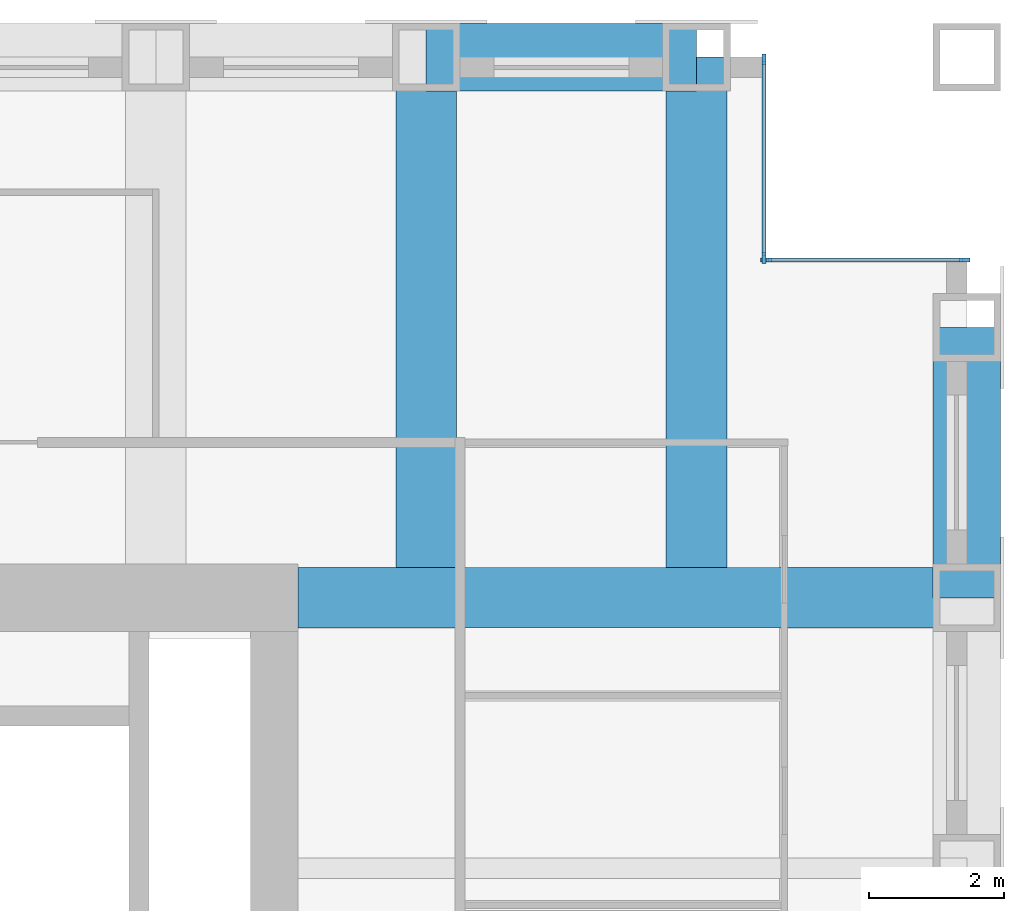
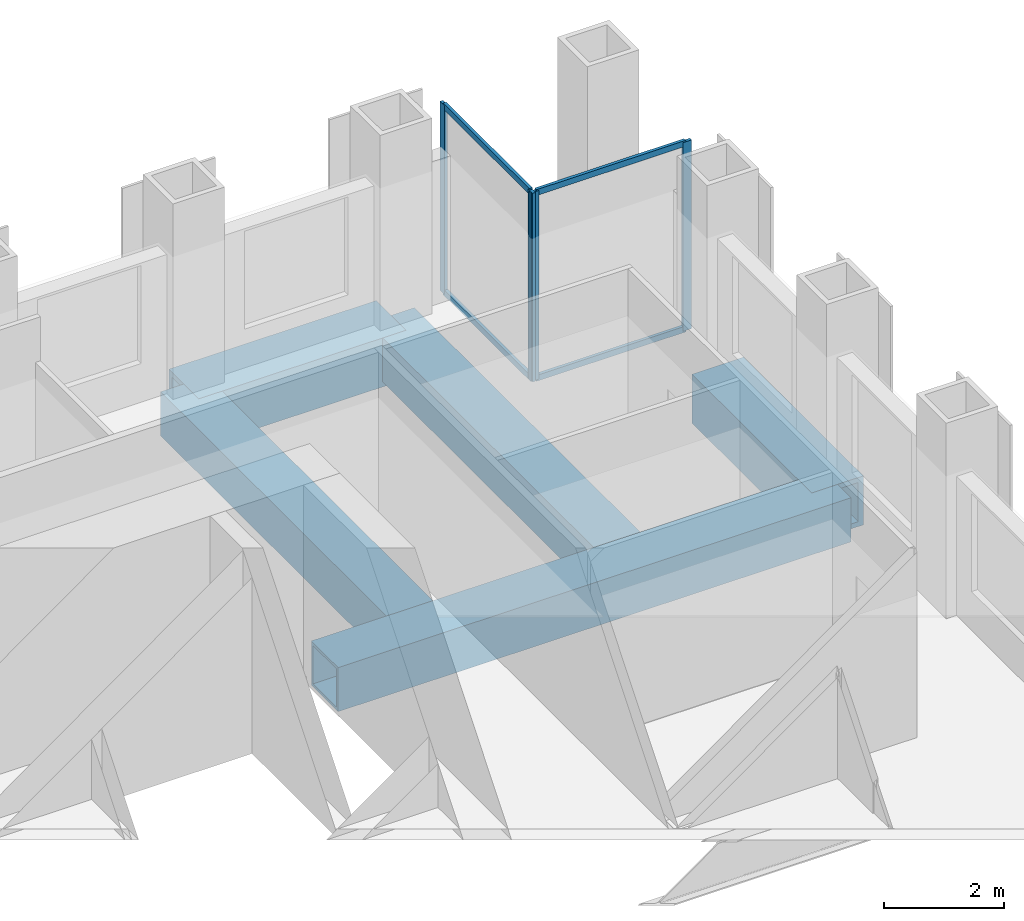
# One storey, part 6 of 13: 8 members, 5 beams, 2 elements without a shape of their own.
"""IFC4 building model written with IfcOpenShell, lengths in metres."""

import ifcopenshell
import ifcopenshell.guid

model = None  # the IFC model being written
_history = None  # IfcOwnerHistory: only IFC2X3 demands one
_inside = {}  # id of a spatial element -> (the spatial element, [elements in it])
_under = {}  # id of a project, library or spatial element -> (it, [spatial elements below it])
_declared = {}  # id of a project -> (the project, [libraries it declares])
_typed = {}  # id of a type object -> (the type object, [elements of that type])
_made_of = {}  # id of a material, layer set ... -> (it, [elements and type objects made of it])


def new_model(schema):
    """Start an empty IFC model of exactly this schema.

    Asked for "IFC4X3", IfcOpenShell would pick the latest addendum, in which some entities
    have other attributes; the version numbers below select the first issue.
    IFC2X3 requires an IfcOwnerHistory on every rooted entity: one is made here for all.
    """
    global model, _history
    if schema == "IFC4X3":
        model = ifcopenshell.file(schema_version=(4, 3, 0, 0))
    else:
        model = ifcopenshell.file(schema=schema)
    _inside.clear()
    _under.clear()
    _declared.clear()
    _typed.clear()
    _made_of.clear()
    _history = None
    if model.schema == "IFC2X3":
        org = make("IfcOrganization", Name="unknown")
        user = make(
            "IfcPersonAndOrganization",
            ThePerson=make("IfcPerson", FamilyName="unknown"),
            TheOrganization=org,
        )
        app = make(
            "IfcApplication",
            ApplicationDeveloper=org,
            Version="unknown",
            ApplicationFullName="unknown",
            ApplicationIdentifier="unknown",
        )
        _history = make(
            "IfcOwnerHistory",
            OwningUser=user,
            OwningApplication=app,
            ChangeAction="ADDED",
            CreationDate=0,
        )
    return model


def make(cls, **values):
    """One entity of the class cls with the attributes given. An attribute that is None is left unset."""
    return model.create_entity(
        cls, **{name: value for name, value in values.items() if value is not None}
    )


def rooted(cls, **values):
    """An entity with a GlobalId (a new one), such as an element, a storey or a relation."""
    return make(cls, GlobalId=ifcopenshell.guid.new(), OwnerHistory=_history, **values)


def si_unit(unit_type, name, prefix=None):
    """IfcSIUnit, for example si_unit("LENGTHUNIT", "METRE", prefix="MILLI")."""
    return make("IfcSIUnit", UnitType=unit_type, Prefix=prefix, Name=name)


def assignment(units):
    """IfcUnitAssignment: the units of a project."""
    return None if units is None else make("IfcUnitAssignment", Units=units)


def point(xyz):
    """IfcCartesianPoint."""
    return None if xyz is None else make("IfcCartesianPoint", Coordinates=xyz)


def direction(xyz):
    """IfcDirection."""
    return None if xyz is None else make("IfcDirection", DirectionRatios=xyz)


def frame(location, z_axis=None, x_axis=None):
    """IfcAxis2Placement3D, a coordinate frame: its origin and axes. An axis left out is left unset."""
    return make(
        "IfcAxis2Placement3D",
        Location=point(location),
        Axis=direction(z_axis),
        RefDirection=direction(x_axis),
    )


def frame_2d(location, x_axis=None):
    """IfcAxis2Placement2D, a coordinate frame in the plane: its origin and x axis."""
    return make(
        "IfcAxis2Placement2D", Location=point(location), RefDirection=direction(x_axis)
    )


def origin():
    """The frame at (0, 0, 0) with its axes left unset."""
    return frame((0.0, 0.0, 0.0))


def origin_2d():
    """The frame at (0, 0) in the plane with its x axis left unset."""
    return frame_2d((0.0, 0.0))


def place(relative_to, where):
    """IfcLocalPlacement: puts the frame where relative to a parent placement (None: the world)."""
    return make(
        "IfcLocalPlacement", PlacementRelTo=relative_to, RelativePlacement=where
    )


def context(
    kind, dimensions, precision=None, world=None, true_north=None, identifier=None
):
    """IfcGeometricRepresentationContext, for example the 3D "Model" context."""
    return make(
        "IfcGeometricRepresentationContext",
        ContextIdentifier=identifier,
        ContextType=kind,
        CoordinateSpaceDimension=dimensions,
        Precision=precision,
        WorldCoordinateSystem=world,
        TrueNorth=true_north,
    )


def subcontext(parent, identifier, kind, view, scale=None):
    """IfcGeometricRepresentationSubContext, for example "Body" below "Model"."""
    return make(
        "IfcGeometricRepresentationSubContext",
        ContextIdentifier=identifier,
        ContextType=kind,
        ParentContext=parent,
        TargetScale=scale,
        TargetView=view,
    )


def project(units=None, contexts=None):
    """IfcProject with its units and contexts."""
    return rooted(
        "IfcProject",
        Name="project",
        RepresentationContexts=contexts,
        UnitsInContext=assignment(units),
    )


def spatial(cls, under=None, at=None, **own):
    """A site, building, storey or space (cls), placed at a placement, below another one or the project."""
    s = rooted(cls, ObjectPlacement=at, **own)
    if under is not None:
        _under.setdefault(under.id(), (under, []))[1].append(s)
    return s


def profile(cls, at=None, kind="AREA", **sizes):
    """A parametric profile (cls). Its sizes go by their IFC names, for example OverallWidth=200.0."""
    return make(cls, ProfileType=kind, Position=at, **sizes)


def rectangle(**sizes):
    """IfcRectangleProfileDef."""
    return profile("IfcRectangleProfileDef", **sizes)


def hollow_rectangle(**sizes):
    """IfcRectangleHollowProfileDef."""
    return profile("IfcRectangleHollowProfileDef", **sizes)


def extrude(swept, where, along, depth):
    """IfcExtrudedAreaSolid: the profile swept, set in the frame where, extruded along a direction by depth."""
    return make(
        "IfcExtrudedAreaSolid",
        SweptArea=swept,
        Position=where,
        ExtrudedDirection=direction(along),
        Depth=depth,
    )


def shape(context_of_items, identifier, shape_type, items):
    """IfcShapeRepresentation: the items that make up one representation, for example the "Body"."""
    return make(
        "IfcShapeRepresentation",
        ContextOfItems=context_of_items,
        RepresentationIdentifier=identifier,
        RepresentationType=shape_type,
        Items=items,
    )


def material(Name=None, Category=None):
    """IfcMaterial."""
    return make("IfcMaterial", Name=Name, Category=Category)


def material_profile(
    of_material, cross_section, Name=None, Category=None, Priority=None
):
    """IfcMaterialProfile: a cross section and its material."""
    return make(
        "IfcMaterialProfile",
        Name=Name,
        Material=of_material,
        Profile=cross_section,
        Priority=Priority,
        Category=Category,
    )


def profile_set(profiles, Name=None, composite=None):
    """IfcMaterialProfileSet."""
    return make(
        "IfcMaterialProfileSet",
        Name=Name,
        MaterialProfiles=profiles,
        CompositeProfile=composite,
    )


def made_of(thing, what):
    """Note that an element or type object is made of a material, layer set ...; save() writes the relation."""
    if what is not None:
        _made_of.setdefault(what.id(), (what, []))[1].append(thing)
    return thing


def type_object(cls, material=None, **own):
    """A type object (cls), such as IfcWallType, which elements share."""
    return made_of(rooted(cls, **own), material)


def element(
    cls,
    number,
    at=None,
    inside=None,
    cuts=None,
    type_object=None,
    material=None,
    context=None,
    identifier="Body",
    shape_type=None,
    held_by="IfcProductDefinitionShape",
    body=None,
    shapes=None,
    **own,
):
    """One element of the class cls, such as IfcWall. Its Tag is "e" and its number.

    at: its placement. inside: the storey or other place that contains it. cuts: it is an
    opening in that element (IfcRelVoidsElement). A single representation is given by context,
    identifier, shape_type and body (its items); several are given by shapes. held_by: the class
    of the entity that holds the representations. save() writes the other relations.
    """
    e = rooted(cls, Tag="e%d" % number, ObjectPlacement=at, **own)
    if body is not None:
        shapes = [shape(context, identifier, shape_type, body)]
    if shapes is not None:
        e.Representation = make(held_by, Representations=shapes)
    if inside is not None:
        _inside.setdefault(inside.id(), (inside, []))[1].append(e)
    if cuts is not None:
        rooted(
            "IfcRelVoidsElement", RelatingBuildingElement=cuts, RelatedOpeningElement=e
        )
    if type_object is not None:
        _typed.setdefault(type_object.id(), (type_object, []))[1].append(e)
    return made_of(e, material)


def aggregate(whole, parts):
    """IfcRelAggregates: a whole, such as a stair, and the parts it consists of."""
    return rooted("IfcRelAggregates", RelatingObject=whole, RelatedObjects=parts)


def save(model, path):
    """Write the relations noted so far, then the file.

    IfcRelAggregates (storeys below a building ...), IfcRelContainedInSpatialStructure (elements
    in a storey), IfcRelDefinesByType, IfcRelAssociatesMaterial and IfcRelDeclares: one each for
    every whole, place, type object, material and project.
    """
    for whole, parts in _under.values():
        aggregate(whole, parts)
    for where, things in _inside.values():
        rooted(
            "IfcRelContainedInSpatialStructure",
            RelatedElements=things,
            RelatingStructure=where,
        )
    for kind, things in _typed.values():
        rooted("IfcRelDefinesByType", RelatedObjects=things, RelatingType=kind)
    for what, things in _made_of.values():
        rooted("IfcRelAssociatesMaterial", RelatedObjects=things, RelatingMaterial=what)
    for by, libraries in _declared.values():
        rooted("IfcRelDeclares", RelatingContext=by, RelatedDefinitions=libraries)
    model.write(path)


model = new_model("IFC4")

# Units and contexts
model_context = context("Model", 3, precision=1e-05, world=origin(), true_north=direction((0.0, 1.0)))
body_context = subcontext(model_context, "Body", "Model", "MODEL_VIEW")
ifc_project = project(units=[si_unit("LENGTHUNIT", "METRE"), si_unit("AREAUNIT", "SQUARE_METRE"), si_unit("VOLUMEUNIT", "CUBIC_METRE"), si_unit("PLANEANGLEUNIT", "RADIAN"), si_unit("MASSUNIT", "GRAM", prefix="KILO")], contexts=[model_context])

# Site, building, storey
site_placement = place(None, origin())
site = spatial("IfcSite", under=ifc_project, at=site_placement, CompositionType="ELEMENT")
building_placement = place(site_placement, origin())
building = spatial("IfcBuilding", under=site, at=building_placement, Name="Rimbunsela Tower", CompositionType="ELEMENT")
storey_placement = place(building_placement, frame((0.0, 0.0, 294.199951171875)))
storey = spatial("IfcBuildingStorey", under=building, at=storey_placement, Name="L71", CompositionType="ELEMENT", Elevation=294.199951171875)

# Beams
ifc_material_1 = material(Name="Steel BJ 55 (fy 410 MPa)", Category="steel")
ifc_material_profile_1 = material_profile(ifc_material_1, hollow_rectangle(XDim=1.0, YDim=1.0, WallThickness=0.10009765625, at=origin_2d()), Name="BOX 1000x1000x100")
ifc_profile_set_1 = profile_set([ifc_material_profile_1], Name="Steel BJ 55 (fy 410 MPa)")
beam_type_1 = type_object("IfcBeamType", Name="Beam BOX 1000x1000x100", PredefinedType="BEAM", material=ifc_profile_set_1)
for number, where, z_axis, x_axis, name in (
    (1, (38.0, 44.0, -0.64990234375), (1.0, 0.0, 0.0), (0.0, 1.0, 0.0), "Beam B3 L71"),
    (2, (46.0, 36.0, -0.64990234375), (0.0, 1.0, 0.0), (-1.0, 0.0, 0.0), "Beam B3 L71"),
):
    element("IfcBeam", number, at=place(storey_placement, frame(where, z_axis=z_axis, x_axis=x_axis)), inside=storey, type_object=beam_type_1, Name=name, PredefinedType="BEAM", context=body_context, shape_type="SweptSolid", body=[
        extrude(hollow_rectangle(XDim=1.0, YDim=1.0, WallThickness=0.10009765625, at=origin_2d()), origin(), (0.0, 0.0, 1.0), 4.0),
    ])
ifc_material_2 = material(Name="Steel BJ 55 (fy 410 MPa)", Category="steel")
ifc_material_profile_2 = material_profile(ifc_material_2, hollow_rectangle(XDim=0.89990234375, YDim=0.89990234375, WallThickness=0.06005859375, at=origin_2d()), Name="BOX 900x900x60")
ifc_profile_set_2 = profile_set([ifc_material_profile_2], Name="Steel BJ 55 (fy 410 MPa)")
beam_type_2 = type_object("IfcBeamType", Name="Beam BOX 900x900x60", PredefinedType="BEAM", material=ifc_profile_set_2)
beam_placement = place(storey_placement, frame((36.10009765625, 36.0, -0.599853515625), z_axis=(1.0, 0.0, 0.0), x_axis=(0.0, 1.0, 0.0)))
element("IfcBeam", 3, at=beam_placement, inside=storey, type_object=beam_type_2, Name="Beam B1 L71", PredefinedType="BEAM", context=body_context, shape_type="SweptSolid", body=[
    extrude(hollow_rectangle(XDim=0.89990234375, YDim=0.89990234375, WallThickness=0.06005859375, at=origin_2d()), origin(), (0.0, 0.0, 1.0), 9.89990234375),
])
for number, where, z_axis, x_axis, name in (
    (4, (38.0, 36.449951171875, -0.599853515625), (0.0, 1.0, 0.0), (-1.0, 0.0, 0.0), "Beam B1 L71"),
    (5, (42.0, 36.449951171875, -0.599853515625), (0.0, 1.0, 0.0), (-1.0, 0.0, 0.0), "Beam B1 L71"),
):
    element("IfcBeam", number, at=place(storey_placement, frame(where, z_axis=z_axis, x_axis=x_axis)), inside=storey, type_object=beam_type_2, Name=name, PredefinedType="BEAM", context=body_context, shape_type="SweptSolid", body=[
        extrude(hollow_rectangle(XDim=0.89990234375, YDim=0.89990234375, WallThickness=0.06005859375, at=origin_2d()), origin(), (0.0, 0.0, 1.0), 7.550048828125),
    ])

# Curtain wall, members
ifc_material_3 = material(Name="Aluminium curtain wall", Category="aluminium")
curtain_wall_type = type_object("IfcCurtainWallType", Name="Corner glazing", PredefinedType="USERDEFINED", material=ifc_material_3)
curtain_wall_1_placement = place(storey_placement, origin())
curtain_wall_1 = element("IfcCurtainWall", 6, at=curtain_wall_1_placement, inside=storey, type_object=curtain_wall_type, Name="Corner glazing L71", ObjectType="CORNER GLAZING", PredefinedType="USERDEFINED")
ifc_material_4 = material(Name="Aluminium mullion", Category="aluminium")
ifc_material_profile_3 = material_profile(ifc_material_4, rectangle(XDim=0.06005859375, YDim=0.159912109375, at=origin_2d()), Name="Mullion 60x160")
ifc_profile_set_3 = profile_set([ifc_material_profile_3], Name="Aluminium mullion")
member_type_1 = type_object("IfcMemberType", Name="Curtain wall mullion 60x160", PredefinedType="MULLION", material=ifc_profile_set_3)
member_1_placement = place(storey_placement, frame((45.969970703125, 41.0, 0.0), z_axis=(0.0, 0.0, 1.0), x_axis=(0.0, -1.0, 0.0)))
member_1 = element("IfcMember", 7, at=member_1_placement, type_object=member_type_1, Name="CW5 mullion 1", PredefinedType="MULLION", context=body_context, shape_type="SweptSolid", body=[
    extrude(rectangle(XDim=0.06005859375, YDim=0.159912109375, at=origin_2d()), origin(), (0.0, 0.0, 1.0), 3.85009765625),
])
member_2_placement = place(storey_placement, frame((43.030029296875, 41.0, 0.0), z_axis=(0.0, 0.0, 1.0), x_axis=(0.0, -1.0, 0.0)))
member_2 = element("IfcMember", 8, at=member_2_placement, type_object=member_type_1, Name="CW5 mullion 2", PredefinedType="MULLION", context=body_context, shape_type="SweptSolid", body=[
    extrude(rectangle(XDim=0.06005859375, YDim=0.159912109375, at=origin_2d()), origin(), (0.0, 0.0, 1.0), 3.85009765625),
])

curtain_wall_2_placement = place(storey_placement, origin())
curtain_wall_2 = element("IfcCurtainWall", 9, at=curtain_wall_2_placement, inside=storey, type_object=curtain_wall_type, Name="Corner glazing L71", ObjectType="CORNER GLAZING", PredefinedType="USERDEFINED")
member_3_placement = place(storey_placement, frame((43.0, 41.030029296875, 0.0), z_axis=(0.0, 0.0, 1.0), x_axis=(-1.0, 0.0, 0.0)))
member_3 = element("IfcMember", 10, at=member_3_placement, type_object=member_type_1, Name="CW5 mullion 1", PredefinedType="MULLION", context=body_context, shape_type="SweptSolid", body=[
    extrude(rectangle(XDim=0.06005859375, YDim=0.159912109375, at=origin_2d()), origin(), (0.0, 0.0, 1.0), 3.85009765625),
])
member_4_placement = place(storey_placement, frame((43.0, 43.969970703125, 0.0), z_axis=(0.0, 0.0, 1.0), x_axis=(-1.0, 0.0, 0.0)))
member_4 = element("IfcMember", 11, at=member_4_placement, type_object=member_type_1, Name="CW5 mullion 2", PredefinedType="MULLION", context=body_context, shape_type="SweptSolid", body=[
    extrude(rectangle(XDim=0.06005859375, YDim=0.159912109375, at=origin_2d()), origin(), (0.0, 0.0, 1.0), 3.85009765625),
])

# Member
ifc_material_5 = material(Name="Aluminium transom", Category="aluminium")
ifc_material_profile_4 = material_profile(ifc_material_5, rectangle(XDim=0.06005859375, YDim=0.1201171875, at=origin_2d()), Name="Transom 60x120")
ifc_profile_set_4 = profile_set([ifc_material_profile_4], Name="Aluminium transom")
member_type_2 = type_object("IfcMemberType", Name="Curtain wall transom 60x120", PredefinedType="USERDEFINED", material=ifc_profile_set_4)
member_5_placement = place(storey_placement, frame((45.93994140625, 41.0, 0.030029296875), z_axis=(-1.0, 0.0, 0.0), x_axis=(0.0, -1.0, 0.0)))
member_5 = element("IfcMember", 12, at=member_5_placement, type_object=member_type_2, Name="CW5 transom 1.1", ObjectType="TRANSOM", PredefinedType="USERDEFINED", context=body_context, shape_type="SweptSolid", body=[
    extrude(rectangle(XDim=0.06005859375, YDim=0.1201171875, at=origin_2d()), origin(), (0.0, 0.0, 1.0), 2.8798828125),
])

member_6_placement = place(storey_placement, frame((45.93994140625, 41.0, 3.820068359375), z_axis=(-1.0, 0.0, 0.0), x_axis=(0.0, -1.0, 0.0)))
member_6 = element("IfcMember", 13, at=member_6_placement, type_object=member_type_2, Name="CW5 transom 1.2", ObjectType="TRANSOM", PredefinedType="USERDEFINED", context=body_context, shape_type="SweptSolid", body=[
    extrude(rectangle(XDim=0.06005859375, YDim=0.1201171875, at=origin_2d()), origin(), (0.0, 0.0, 1.0), 2.8798828125),
])

aggregate(curtain_wall_1, [member_1, member_2, member_5, member_6])

member_7_placement = place(storey_placement, frame((43.0, 41.06005859375, 0.030029296875), z_axis=(0.0, 1.0, 0.0), x_axis=(-1.0, 0.0, 0.0)))
member_7 = element("IfcMember", 14, at=member_7_placement, type_object=member_type_2, Name="CW5 transom 1.1", ObjectType="TRANSOM", PredefinedType="USERDEFINED", context=body_context, shape_type="SweptSolid", body=[
    extrude(rectangle(XDim=0.06005859375, YDim=0.1201171875, at=origin_2d()), origin(), (0.0, 0.0, 1.0), 2.8798828125),
])

member_8_placement = place(storey_placement, frame((43.0, 41.06005859375, 3.820068359375), z_axis=(0.0, 1.0, 0.0), x_axis=(-1.0, 0.0, 0.0)))
member_8 = element("IfcMember", 15, at=member_8_placement, type_object=member_type_2, Name="CW5 transom 1.2", ObjectType="TRANSOM", PredefinedType="USERDEFINED", context=body_context, shape_type="SweptSolid", body=[
    extrude(rectangle(XDim=0.06005859375, YDim=0.1201171875, at=origin_2d()), origin(), (0.0, 0.0, 1.0), 2.8798828125),
])

aggregate(curtain_wall_2, [member_3, member_4, member_7, member_8])

save(model, "model.ifc")
